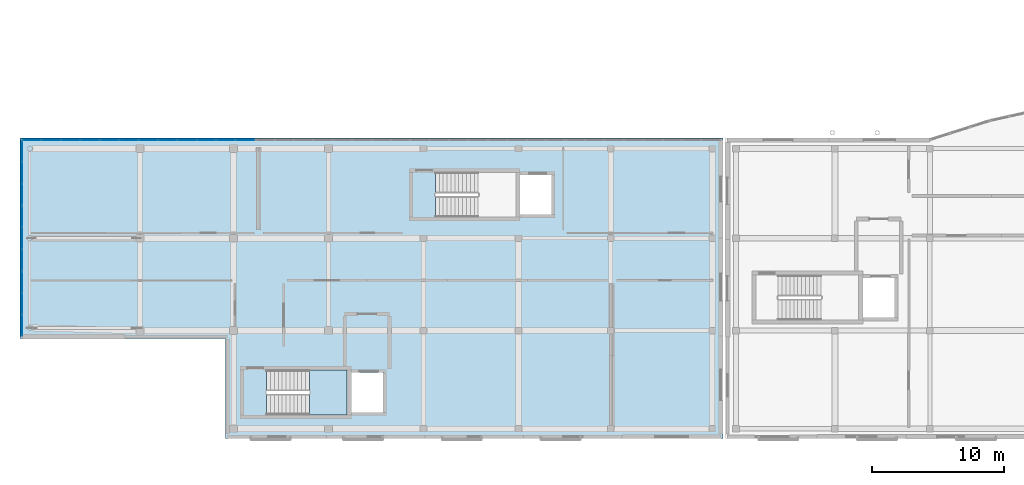
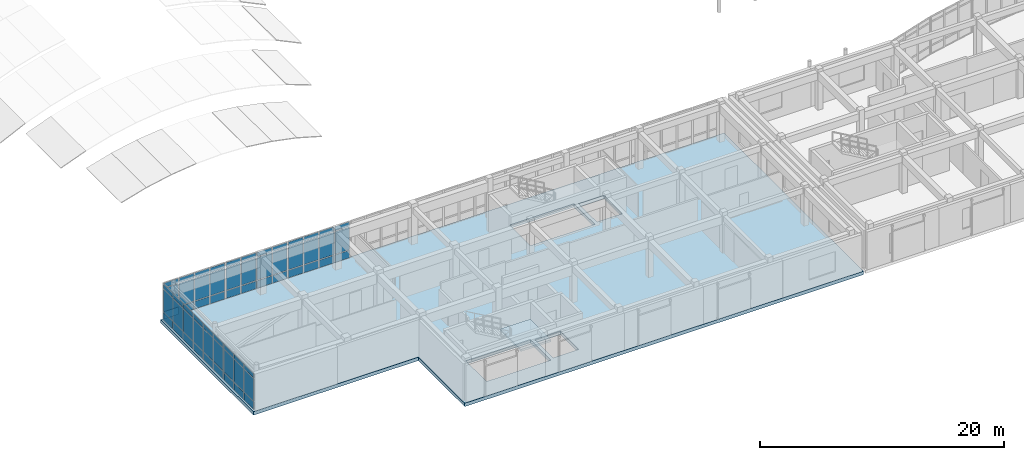
# One storey, part 62 of 91: 63 plates, 2 slabs, 7 elements without a shape of their own.
"""IFC4 building model written with IfcOpenShell, lengths in metres."""

import ifcopenshell
import ifcopenshell.guid

model = None  # the IFC model being written
_history = None  # IfcOwnerHistory: only IFC2X3 demands one
_inside = {}  # id of a spatial element -> (the spatial element, [elements in it])
_under = {}  # id of a project, library or spatial element -> (it, [spatial elements below it])
_declared = {}  # id of a project -> (the project, [libraries it declares])
_typed = {}  # id of a type object -> (the type object, [elements of that type])
_made_of = {}  # id of a material, layer set ... -> (it, [elements and type objects made of it])


def new_model(schema):
    """Start an empty IFC model of exactly this schema.

    Asked for "IFC4X3", IfcOpenShell would pick the latest addendum, in which some entities
    have other attributes; the version numbers below select the first issue.
    IFC2X3 requires an IfcOwnerHistory on every rooted entity: one is made here for all.
    """
    global model, _history
    if schema == "IFC4X3":
        model = ifcopenshell.file(schema_version=(4, 3, 0, 0))
    else:
        model = ifcopenshell.file(schema=schema)
    _inside.clear()
    _under.clear()
    _declared.clear()
    _typed.clear()
    _made_of.clear()
    _history = None
    if model.schema == "IFC2X3":
        org = make("IfcOrganization", Name="unknown")
        user = make(
            "IfcPersonAndOrganization",
            ThePerson=make("IfcPerson", FamilyName="unknown"),
            TheOrganization=org,
        )
        app = make(
            "IfcApplication",
            ApplicationDeveloper=org,
            Version="unknown",
            ApplicationFullName="unknown",
            ApplicationIdentifier="unknown",
        )
        _history = make(
            "IfcOwnerHistory",
            OwningUser=user,
            OwningApplication=app,
            ChangeAction="ADDED",
            CreationDate=0,
        )
    return model


def make(cls, **values):
    """One entity of the class cls with the attributes given. An attribute that is None is left unset."""
    return model.create_entity(
        cls, **{name: value for name, value in values.items() if value is not None}
    )


def rooted(cls, **values):
    """An entity with a GlobalId (a new one), such as an element, a storey or a relation."""
    return make(cls, GlobalId=ifcopenshell.guid.new(), OwnerHistory=_history, **values)


def si_unit(unit_type, name, prefix=None):
    """IfcSIUnit, for example si_unit("LENGTHUNIT", "METRE", prefix="MILLI")."""
    return make("IfcSIUnit", UnitType=unit_type, Prefix=prefix, Name=name)


def assignment(units):
    """IfcUnitAssignment: the units of a project."""
    return None if units is None else make("IfcUnitAssignment", Units=units)


def point(xyz):
    """IfcCartesianPoint."""
    return None if xyz is None else make("IfcCartesianPoint", Coordinates=xyz)


def direction(xyz):
    """IfcDirection."""
    return None if xyz is None else make("IfcDirection", DirectionRatios=xyz)


def frame(location, z_axis=None, x_axis=None):
    """IfcAxis2Placement3D, a coordinate frame: its origin and axes. An axis left out is left unset."""
    return make(
        "IfcAxis2Placement3D",
        Location=point(location),
        Axis=direction(z_axis),
        RefDirection=direction(x_axis),
    )


def frame_2d(location, x_axis=None):
    """IfcAxis2Placement2D, a coordinate frame in the plane: its origin and x axis."""
    return make(
        "IfcAxis2Placement2D", Location=point(location), RefDirection=direction(x_axis)
    )


def origin():
    """The frame at (0, 0, 0) with its axes left unset."""
    return frame((0.0, 0.0, 0.0))


def origin_2d():
    """The frame at (0, 0) in the plane with its x axis left unset."""
    return frame_2d((0.0, 0.0))


def place(relative_to, where):
    """IfcLocalPlacement: puts the frame where relative to a parent placement (None: the world)."""
    return make(
        "IfcLocalPlacement", PlacementRelTo=relative_to, RelativePlacement=where
    )


def context(
    kind, dimensions, precision=None, world=None, true_north=None, identifier=None
):
    """IfcGeometricRepresentationContext, for example the 3D "Model" context."""
    return make(
        "IfcGeometricRepresentationContext",
        ContextIdentifier=identifier,
        ContextType=kind,
        CoordinateSpaceDimension=dimensions,
        Precision=precision,
        WorldCoordinateSystem=world,
        TrueNorth=true_north,
    )


def subcontext(parent, identifier, kind, view, scale=None):
    """IfcGeometricRepresentationSubContext, for example "Body" below "Model"."""
    return make(
        "IfcGeometricRepresentationSubContext",
        ContextIdentifier=identifier,
        ContextType=kind,
        ParentContext=parent,
        TargetScale=scale,
        TargetView=view,
    )


def project(units=None, contexts=None):
    """IfcProject with its units and contexts."""
    return rooted(
        "IfcProject",
        Name="project",
        RepresentationContexts=contexts,
        UnitsInContext=assignment(units),
    )


def spatial(cls, under=None, at=None, **own):
    """A site, building, storey or space (cls), placed at a placement, below another one or the project."""
    s = rooted(cls, ObjectPlacement=at, **own)
    if under is not None:
        _under.setdefault(under.id(), (under, []))[1].append(s)
    return s


def polyline(points):
    """IfcPolyline through the points."""
    return make("IfcPolyline", Points=[point(p) for p in points])


def profile(cls, at=None, kind="AREA", **sizes):
    """A parametric profile (cls). Its sizes go by their IFC names, for example OverallWidth=200.0."""
    return make(cls, ProfileType=kind, Position=at, **sizes)


def rectangle(**sizes):
    """IfcRectangleProfileDef."""
    return profile("IfcRectangleProfileDef", **sizes)


def outline(outer, holes=None, kind="AREA"):
    """IfcArbitraryClosedProfileDef: a profile drawn as a closed curve; with holes, ...WithVoids."""
    if holes is None:
        return make("IfcArbitraryClosedProfileDef", ProfileType=kind, OuterCurve=outer)
    return make(
        "IfcArbitraryProfileDefWithVoids",
        ProfileType=kind,
        OuterCurve=outer,
        InnerCurves=holes,
    )


def extrude(swept, where, along, depth):
    """IfcExtrudedAreaSolid: the profile swept, set in the frame where, extruded along a direction by depth."""
    return make(
        "IfcExtrudedAreaSolid",
        SweptArea=swept,
        Position=where,
        ExtrudedDirection=direction(along),
        Depth=depth,
    )


def shape(context_of_items, identifier, shape_type, items):
    """IfcShapeRepresentation: the items that make up one representation, for example the "Body"."""
    return make(
        "IfcShapeRepresentation",
        ContextOfItems=context_of_items,
        RepresentationIdentifier=identifier,
        RepresentationType=shape_type,
        Items=items,
    )


def material(Name=None, Category=None):
    """IfcMaterial."""
    return make("IfcMaterial", Name=Name, Category=Category)


def layer(
    of_material, thickness, ventilated=None, Name=None, Category=None, Priority=None
):
    """IfcMaterialLayer: one layer of a wall or slab, of a material (None: an air gap)."""
    return make(
        "IfcMaterialLayer",
        Material=of_material,
        LayerThickness=thickness,
        IsVentilated=ventilated,
        Name=Name,
        Category=Category,
        Priority=Priority,
    )


def layer_set(layers, Name=None):
    """IfcMaterialLayerSet."""
    return make("IfcMaterialLayerSet", MaterialLayers=layers, LayerSetName=Name)


def made_of(thing, what):
    """Note that an element or type object is made of a material, layer set ...; save() writes the relation."""
    if what is not None:
        _made_of.setdefault(what.id(), (what, []))[1].append(thing)
    return thing


def type_object(cls, material=None, **own):
    """A type object (cls), such as IfcWallType, which elements share."""
    return made_of(rooted(cls, **own), material)


def element(
    cls,
    number,
    at=None,
    inside=None,
    cuts=None,
    type_object=None,
    material=None,
    context=None,
    identifier="Body",
    shape_type=None,
    held_by="IfcProductDefinitionShape",
    body=None,
    shapes=None,
    **own,
):
    """One element of the class cls, such as IfcWall. Its Tag is "e" and its number.

    at: its placement. inside: the storey or other place that contains it. cuts: it is an
    opening in that element (IfcRelVoidsElement). A single representation is given by context,
    identifier, shape_type and body (its items); several are given by shapes. held_by: the class
    of the entity that holds the representations. save() writes the other relations.
    """
    e = rooted(cls, Tag="e%d" % number, ObjectPlacement=at, **own)
    if body is not None:
        shapes = [shape(context, identifier, shape_type, body)]
    if shapes is not None:
        e.Representation = make(held_by, Representations=shapes)
    if inside is not None:
        _inside.setdefault(inside.id(), (inside, []))[1].append(e)
    if cuts is not None:
        rooted(
            "IfcRelVoidsElement", RelatingBuildingElement=cuts, RelatedOpeningElement=e
        )
    if type_object is not None:
        _typed.setdefault(type_object.id(), (type_object, []))[1].append(e)
    return made_of(e, material)


def aggregate(whole, parts):
    """IfcRelAggregates: a whole, such as a stair, and the parts it consists of."""
    return rooted("IfcRelAggregates", RelatingObject=whole, RelatedObjects=parts)


def save(model, path):
    """Write the relations noted so far, then the file.

    IfcRelAggregates (storeys below a building ...), IfcRelContainedInSpatialStructure (elements
    in a storey), IfcRelDefinesByType, IfcRelAssociatesMaterial and IfcRelDeclares: one each for
    every whole, place, type object, material and project.
    """
    for whole, parts in _under.values():
        aggregate(whole, parts)
    for where, things in _inside.values():
        rooted(
            "IfcRelContainedInSpatialStructure",
            RelatedElements=things,
            RelatingStructure=where,
        )
    for kind, things in _typed.values():
        rooted("IfcRelDefinesByType", RelatedObjects=things, RelatingType=kind)
    for what, things in _made_of.values():
        rooted("IfcRelAssociatesMaterial", RelatedObjects=things, RelatingMaterial=what)
    for by, libraries in _declared.values():
        rooted("IfcRelDeclares", RelatingContext=by, RelatedDefinitions=libraries)
    model.write(path)


model = new_model("IFC4")

# Units and contexts
model_context = context("Model", 3, precision=1e-05, world=origin(), true_north=direction((0.0, 1.0)))
body_context = subcontext(model_context, "Body", "Model", "MODEL_VIEW")
ifc_project = project(units=[si_unit("LENGTHUNIT", "METRE"), si_unit("AREAUNIT", "SQUARE_METRE"), si_unit("VOLUMEUNIT", "CUBIC_METRE"), si_unit("PLANEANGLEUNIT", "RADIAN"), si_unit("MASSUNIT", "GRAM", prefix="KILO")], contexts=[model_context])

# Site, building, storey
site_placement = place(None, origin())
site = spatial("IfcSite", under=ifc_project, at=site_placement, CompositionType="ELEMENT")
building_placement = place(site_placement, origin())
building = spatial("IfcBuilding", under=site, at=building_placement, Name="Valcora Specialist Clinic", CompositionType="ELEMENT")
storey_placement = place(building_placement, frame((0.0, 0.0, 13.60009765625)))
storey = spatial("IfcBuildingStorey", under=building, at=storey_placement, Name="L03", CompositionType="ELEMENT", Elevation=13.60009765625)

# Curtain wall, plates
ifc_material_1 = material(Name="Anodized Bronze Aluminium 6063-T6", Category="aluminium")
ifc_layer_1 = layer(ifc_material_1, 0.175048828125)
ifc_layer_set_1 = layer_set([ifc_layer_1], Name="Anodized Bronze Aluminium 6063-T6")
curtain_wall_type = type_object("IfcCurtainWallType", Name="TY-CW-V5F15", PredefinedType="NOTDEFINED", material=ifc_layer_set_1)
curtain_wall_1_placement = place(storey_placement, origin())
curtain_wall_1 = element("IfcCurtainWall", 1, at=curtain_wall_1_placement, inside=storey, type_object=curtain_wall_type, Name="Curtain wall CW-L03-152", PredefinedType="NOTDEFINED")
ifc_material_2 = material(Name="Low-E Laminated Insulating Glass", Category="glass")
ifc_layer_2 = layer(ifc_material_2, 0.028076171875)
ifc_layer_set_2 = layer_set([ifc_layer_2], Name="Low-E Laminated Insulating Glass")
plate_type_1 = type_object("IfcPlateType", Name="TY-CWP-GLZ28", PredefinedType="CURTAIN_PANEL", material=ifc_layer_set_2)
plate_1_placement = place(storey_placement, frame((0.14990234375, 8.593994140625, 0.882568359375), z_axis=(0.0, 0.0, 1.0), x_axis=(0.0, 1.0, 0.0)))
plate_1 = element("IfcPlate", 2, at=plate_1_placement, type_object=plate_type_1, Name="CW-V5F-15 panel 1.2", PredefinedType="CURTAIN_PANEL", context=body_context, shape_type="SweptSolid", body=[
    extrude(rectangle(XDim=1.55810546875, YDim=0.028076171875, at=origin_2d()), origin(), (0.0, 0.0, 1.0), 2.2548828125),
])
plate_2_placement = place(storey_placement, frame((0.14990234375, 8.593994140625, 3.20263671875), z_axis=(0.0, 0.0, 1.0), x_axis=(0.0, 1.0, 0.0)))
plate_2 = element("IfcPlate", 3, at=plate_2_placement, type_object=plate_type_1, Name="CW-V5F-15 panel 1.3", PredefinedType="CURTAIN_PANEL", context=body_context, shape_type="SweptSolid", body=[
    extrude(rectangle(XDim=1.55810546875, YDim=0.028076171875, at=origin_2d()), origin(), (0.0, 0.0, 1.0), 0.452392578125),
])
plate_3_placement = place(storey_placement, frame((0.14990234375, 10.2333984375, 0.882568359375), z_axis=(0.0, 0.0, 1.0), x_axis=(0.0, 1.0, 0.0)))
plate_3 = element("IfcPlate", 4, at=plate_3_placement, type_object=plate_type_1, Name="CW-V5F-15 panel 2.2", PredefinedType="CURTAIN_PANEL", context=body_context, shape_type="SweptSolid", body=[
    extrude(rectangle(XDim=1.590576171875, YDim=0.028076171875, at=origin_2d()), origin(), (0.0, 0.0, 1.0), 2.2548828125),
])
plate_4_placement = place(storey_placement, frame((0.14990234375, 10.2333984375, 3.20263671875), z_axis=(0.0, 0.0, 1.0), x_axis=(0.0, 1.0, 0.0)))
plate_4 = element("IfcPlate", 5, at=plate_4_placement, type_object=plate_type_1, Name="CW-V5F-15 panel 2.3", PredefinedType="CURTAIN_PANEL", context=body_context, shape_type="SweptSolid", body=[
    extrude(rectangle(XDim=1.590576171875, YDim=0.028076171875, at=origin_2d()), origin(), (0.0, 0.0, 1.0), 0.452392578125),
])
plate_5_placement = place(storey_placement, frame((0.14990234375, 11.87255859375, 0.882568359375), z_axis=(0.0, 0.0, 1.0), x_axis=(0.0, 1.0, 0.0)))
plate_5 = element("IfcPlate", 6, at=plate_5_placement, type_object=plate_type_1, Name="CW-V5F-15 panel 3.2", PredefinedType="CURTAIN_PANEL", context=body_context, shape_type="SweptSolid", body=[
    extrude(rectangle(XDim=1.55810546875, YDim=0.028076171875, at=origin_2d()), origin(), (0.0, 0.0, 1.0), 2.2548828125),
])
plate_6_placement = place(storey_placement, frame((0.14990234375, 11.87255859375, 3.20263671875), z_axis=(0.0, 0.0, 1.0), x_axis=(0.0, 1.0, 0.0)))
plate_6 = element("IfcPlate", 7, at=plate_6_placement, type_object=plate_type_1, Name="CW-V5F-15 panel 3.3", PredefinedType="CURTAIN_PANEL", context=body_context, shape_type="SweptSolid", body=[
    extrude(rectangle(XDim=1.55810546875, YDim=0.028076171875, at=origin_2d()), origin(), (0.0, 0.0, 1.0), 0.452392578125),
])

curtain_wall_2_placement = place(storey_placement, origin())
curtain_wall_2 = element("IfcCurtainWall", 8, at=curtain_wall_2_placement, inside=storey, type_object=curtain_wall_type, Name="Curtain wall CW-L03-154", PredefinedType="NOTDEFINED")
plate_7_placement = place(storey_placement, frame((0.14990234375, 18.52734375, 0.882568359375), z_axis=(0.0, 0.0, 1.0), x_axis=(0.0, 1.0, 0.0)))
plate_7 = element("IfcPlate", 9, at=plate_7_placement, type_object=plate_type_1, Name="CW-V5F-15 panel 1.2", PredefinedType="CURTAIN_PANEL", context=body_context, shape_type="SweptSolid", body=[
    extrude(rectangle(XDim=1.55810546875, YDim=0.028076171875, at=origin_2d()), origin(), (0.0, 0.0, 1.0), 2.2548828125),
])
plate_8_placement = place(storey_placement, frame((0.14990234375, 18.52734375, 3.20263671875), z_axis=(0.0, 0.0, 1.0), x_axis=(0.0, 1.0, 0.0)))
plate_8 = element("IfcPlate", 10, at=plate_8_placement, type_object=plate_type_1, Name="CW-V5F-15 panel 1.3", PredefinedType="CURTAIN_PANEL", context=body_context, shape_type="SweptSolid", body=[
    extrude(rectangle(XDim=1.55810546875, YDim=0.028076171875, at=origin_2d()), origin(), (0.0, 0.0, 1.0), 0.452392578125),
])
plate_9_placement = place(storey_placement, frame((0.14990234375, 20.166748046875, 0.882568359375), z_axis=(0.0, 0.0, 1.0), x_axis=(0.0, 1.0, 0.0)))
plate_9 = element("IfcPlate", 11, at=plate_9_placement, type_object=plate_type_1, Name="CW-V5F-15 panel 2.2", PredefinedType="CURTAIN_PANEL", context=body_context, shape_type="SweptSolid", body=[
    extrude(rectangle(XDim=1.590576171875, YDim=0.028076171875, at=origin_2d()), origin(), (0.0, 0.0, 1.0), 2.2548828125),
])
plate_10_placement = place(storey_placement, frame((0.14990234375, 20.166748046875, 3.20263671875), z_axis=(0.0, 0.0, 1.0), x_axis=(0.0, 1.0, 0.0)))
plate_10 = element("IfcPlate", 12, at=plate_10_placement, type_object=plate_type_1, Name="CW-V5F-15 panel 2.3", PredefinedType="CURTAIN_PANEL", context=body_context, shape_type="SweptSolid", body=[
    extrude(rectangle(XDim=1.590576171875, YDim=0.028076171875, at=origin_2d()), origin(), (0.0, 0.0, 1.0), 0.452392578125),
])
plate_11_placement = place(storey_placement, frame((0.14990234375, 21.805908203125, 0.882568359375), z_axis=(0.0, 0.0, 1.0), x_axis=(0.0, 1.0, 0.0)))
plate_11 = element("IfcPlate", 13, at=plate_11_placement, type_object=plate_type_1, Name="CW-V5F-15 panel 3.2", PredefinedType="CURTAIN_PANEL", context=body_context, shape_type="SweptSolid", body=[
    extrude(rectangle(XDim=1.55810546875, YDim=0.028076171875, at=origin_2d()), origin(), (0.0, 0.0, 1.0), 2.2548828125),
])
plate_12_placement = place(storey_placement, frame((0.14990234375, 21.805908203125, 3.20263671875), z_axis=(0.0, 0.0, 1.0), x_axis=(0.0, 1.0, 0.0)))
plate_12 = element("IfcPlate", 14, at=plate_12_placement, type_object=plate_type_1, Name="CW-V5F-15 panel 3.3", PredefinedType="CURTAIN_PANEL", context=body_context, shape_type="SweptSolid", body=[
    extrude(rectangle(XDim=1.55810546875, YDim=0.028076171875, at=origin_2d()), origin(), (0.0, 0.0, 1.0), 0.452392578125),
])

curtain_wall_3_placement = place(storey_placement, origin())
curtain_wall_3 = element("IfcCurtainWall", 15, at=curtain_wall_3_placement, inside=storey, type_object=curtain_wall_type, Name="Curtain wall CW-L03-156", PredefinedType="NOTDEFINED")
plate_13_placement = place(storey_placement, frame((6.791259765625, 22.64990234375, 0.882568359375), z_axis=(0.0, 0.0, 1.0), x_axis=(1.0, 0.0, 0.0)))
plate_13 = element("IfcPlate", 16, at=plate_13_placement, type_object=plate_type_1, Name="CW-V5F-15 panel 1.2", PredefinedType="CURTAIN_PANEL", context=body_context, shape_type="SweptSolid", body=[
    extrude(rectangle(XDim=1.374755859375, YDim=0.028076171875, at=origin_2d()), origin(), (0.0, 0.0, 1.0), 2.2548828125),
])
plate_14_placement = place(storey_placement, frame((6.791259765625, 22.64990234375, 3.20263671875), z_axis=(0.0, 0.0, 1.0), x_axis=(1.0, 0.0, 0.0)))
plate_14 = element("IfcPlate", 17, at=plate_14_placement, type_object=plate_type_1, Name="CW-V5F-15 panel 1.3", PredefinedType="CURTAIN_PANEL", context=body_context, shape_type="SweptSolid", body=[
    extrude(rectangle(XDim=1.374755859375, YDim=0.028076171875, at=origin_2d()), origin(), (0.0, 0.0, 1.0), 0.452392578125),
])
plate_15_placement = place(storey_placement, frame((8.247314453125, 22.64990234375, 0.882568359375), z_axis=(0.0, 0.0, 1.0), x_axis=(1.0, 0.0, 0.0)))
plate_15 = element("IfcPlate", 18, at=plate_15_placement, type_object=plate_type_1, Name="CW-V5F-15 panel 2.2", PredefinedType="CURTAIN_PANEL", context=body_context, shape_type="SweptSolid", body=[
    extrude(rectangle(XDim=1.4072265625, YDim=0.028076171875, at=origin_2d()), origin(), (0.0, 0.0, 1.0), 2.2548828125),
])
plate_16_placement = place(storey_placement, frame((8.247314453125, 22.64990234375, 3.20263671875), z_axis=(0.0, 0.0, 1.0), x_axis=(1.0, 0.0, 0.0)))
plate_16 = element("IfcPlate", 19, at=plate_16_placement, type_object=plate_type_1, Name="CW-V5F-15 panel 2.3", PredefinedType="CURTAIN_PANEL", context=body_context, shape_type="SweptSolid", body=[
    extrude(rectangle(XDim=1.4072265625, YDim=0.028076171875, at=origin_2d()), origin(), (0.0, 0.0, 1.0), 0.452392578125),
])
plate_17_placement = place(storey_placement, frame((9.719482421875, 22.64990234375, 0.882568359375), z_axis=(0.0, 0.0, 1.0), x_axis=(1.0, 0.0, 0.0)))
plate_17 = element("IfcPlate", 20, at=plate_17_placement, type_object=plate_type_1, Name="CW-V5F-15 panel 3.2", PredefinedType="CURTAIN_PANEL", context=body_context, shape_type="SweptSolid", body=[
    extrude(rectangle(XDim=1.4072265625, YDim=0.028076171875, at=origin_2d()), origin(), (0.0, 0.0, 1.0), 2.2548828125),
])
plate_18_placement = place(storey_placement, frame((9.719482421875, 22.64990234375, 3.20263671875), z_axis=(0.0, 0.0, 1.0), x_axis=(1.0, 0.0, 0.0)))
plate_18 = element("IfcPlate", 21, at=plate_18_placement, type_object=plate_type_1, Name="CW-V5F-15 panel 3.3", PredefinedType="CURTAIN_PANEL", context=body_context, shape_type="SweptSolid", body=[
    extrude(rectangle(XDim=1.4072265625, YDim=0.028076171875, at=origin_2d()), origin(), (0.0, 0.0, 1.0), 0.452392578125),
])
plate_19_placement = place(storey_placement, frame((11.175537109375, 22.64990234375, 0.882568359375), z_axis=(0.0, 0.0, 1.0), x_axis=(1.0, 0.0, 0.0)))
plate_19 = element("IfcPlate", 22, at=plate_19_placement, type_object=plate_type_1, Name="CW-V5F-15 panel 4.2", PredefinedType="CURTAIN_PANEL", context=body_context, shape_type="SweptSolid", body=[
    extrude(rectangle(XDim=1.374755859375, YDim=0.028076171875, at=origin_2d()), origin(), (0.0, 0.0, 1.0), 2.2548828125),
])
plate_20_placement = place(storey_placement, frame((11.175537109375, 22.64990234375, 3.20263671875), z_axis=(0.0, 0.0, 1.0), x_axis=(1.0, 0.0, 0.0)))
plate_20 = element("IfcPlate", 23, at=plate_20_placement, type_object=plate_type_1, Name="CW-V5F-15 panel 4.3", PredefinedType="CURTAIN_PANEL", context=body_context, shape_type="SweptSolid", body=[
    extrude(rectangle(XDim=1.374755859375, YDim=0.028076171875, at=origin_2d()), origin(), (0.0, 0.0, 1.0), 0.452392578125),
])

curtain_wall_4_placement = place(storey_placement, origin())
curtain_wall_4 = element("IfcCurtainWall", 24, at=curtain_wall_4_placement, inside=storey, type_object=curtain_wall_type, Name="Curtain wall CW-L03-153", PredefinedType="NOTDEFINED")
ifc_layer_3 = layer(ifc_material_2, 0.033935546875)
ifc_layer_set_3 = layer_set([ifc_layer_3], Name="Low-E Laminated Insulating Glass")
plate_type_2 = type_object("IfcPlateType", Name="TY-CWP-GLZ34", PredefinedType="CURTAIN_PANEL", material=ifc_layer_set_3)
plate_21_placement = place(storey_placement, frame((0.14990234375, 13.560791015625, 0.882568359375), z_axis=(0.0, 0.0, 1.0), x_axis=(0.0, 1.0, 0.0)))
plate_21 = element("IfcPlate", 25, at=plate_21_placement, type_object=plate_type_2, Name="CW-V5F-15 panel 1.2", PredefinedType="CURTAIN_PANEL", context=body_context, shape_type="SweptSolid", body=[
    extrude(rectangle(XDim=1.55810546875, YDim=0.033935546875, at=origin_2d()), origin(), (0.0, 0.0, 1.0), 2.2548828125),
])
plate_22_placement = place(storey_placement, frame((0.14990234375, 13.560791015625, 3.20263671875), z_axis=(0.0, 0.0, 1.0), x_axis=(0.0, 1.0, 0.0)))
plate_22 = element("IfcPlate", 26, at=plate_22_placement, type_object=plate_type_2, Name="CW-V5F-15 panel 1.3", PredefinedType="CURTAIN_PANEL", context=body_context, shape_type="SweptSolid", body=[
    extrude(rectangle(XDim=1.55810546875, YDim=0.033935546875, at=origin_2d()), origin(), (0.0, 0.0, 1.0), 0.452392578125),
])
plate_23_placement = place(storey_placement, frame((0.14990234375, 15.199951171875, 0.882568359375), z_axis=(0.0, 0.0, 1.0), x_axis=(0.0, 1.0, 0.0)))
plate_23 = element("IfcPlate", 27, at=plate_23_placement, type_object=plate_type_2, Name="CW-V5F-15 panel 2.2", PredefinedType="CURTAIN_PANEL", context=body_context, shape_type="SweptSolid", body=[
    extrude(rectangle(XDim=1.590576171875, YDim=0.033935546875, at=origin_2d()), origin(), (0.0, 0.0, 1.0), 2.2548828125),
])
plate_24_placement = place(storey_placement, frame((0.14990234375, 15.199951171875, 3.20263671875), z_axis=(0.0, 0.0, 1.0), x_axis=(0.0, 1.0, 0.0)))
plate_24 = element("IfcPlate", 28, at=plate_24_placement, type_object=plate_type_2, Name="CW-V5F-15 panel 2.3", PredefinedType="CURTAIN_PANEL", context=body_context, shape_type="SweptSolid", body=[
    extrude(rectangle(XDim=1.590576171875, YDim=0.033935546875, at=origin_2d()), origin(), (0.0, 0.0, 1.0), 0.452392578125),
])
plate_25_placement = place(storey_placement, frame((0.14990234375, 16.83935546875, 0.882568359375), z_axis=(0.0, 0.0, 1.0), x_axis=(0.0, 1.0, 0.0)))
plate_25 = element("IfcPlate", 29, at=plate_25_placement, type_object=plate_type_2, Name="CW-V5F-15 panel 3.2", PredefinedType="CURTAIN_PANEL", context=body_context, shape_type="SweptSolid", body=[
    extrude(rectangle(XDim=1.55810546875, YDim=0.033935546875, at=origin_2d()), origin(), (0.0, 0.0, 1.0), 2.2548828125),
])
plate_26_placement = place(storey_placement, frame((0.14990234375, 16.83935546875, 3.20263671875), z_axis=(0.0, 0.0, 1.0), x_axis=(0.0, 1.0, 0.0)))
plate_26 = element("IfcPlate", 30, at=plate_26_placement, type_object=plate_type_2, Name="CW-V5F-15 panel 3.3", PredefinedType="CURTAIN_PANEL", context=body_context, shape_type="SweptSolid", body=[
    extrude(rectangle(XDim=1.55810546875, YDim=0.033935546875, at=origin_2d()), origin(), (0.0, 0.0, 1.0), 0.452392578125),
])

curtain_wall_5_placement = place(storey_placement, origin())
curtain_wall_5 = element("IfcCurtainWall", 31, at=curtain_wall_5_placement, inside=storey, type_object=curtain_wall_type, Name="Curtain wall CW-L03-155", PredefinedType="NOTDEFINED")
plate_27_placement = place(storey_placement, frame((0.90234375, 22.64990234375, 0.882568359375), z_axis=(0.0, 0.0, 1.0), x_axis=(1.0, 0.0, 0.0)))
plate_27 = element("IfcPlate", 32, at=plate_27_placement, type_object=plate_type_2, Name="CW-V5F-15 panel 1.2", PredefinedType="CURTAIN_PANEL", context=body_context, shape_type="SweptSolid", body=[
    extrude(rectangle(XDim=1.374755859375, YDim=0.033935546875, at=origin_2d()), origin(), (0.0, 0.0, 1.0), 2.2548828125),
])
plate_28_placement = place(storey_placement, frame((0.90234375, 22.64990234375, 3.20263671875), z_axis=(0.0, 0.0, 1.0), x_axis=(1.0, 0.0, 0.0)))
plate_28 = element("IfcPlate", 33, at=plate_28_placement, type_object=plate_type_2, Name="CW-V5F-15 panel 1.3", PredefinedType="CURTAIN_PANEL", context=body_context, shape_type="SweptSolid", body=[
    extrude(rectangle(XDim=1.374755859375, YDim=0.033935546875, at=origin_2d()), origin(), (0.0, 0.0, 1.0), 0.452392578125),
])
plate_29_placement = place(storey_placement, frame((2.3583984375, 22.64990234375, 0.882568359375), z_axis=(0.0, 0.0, 1.0), x_axis=(1.0, 0.0, 0.0)))
plate_29 = element("IfcPlate", 34, at=plate_29_placement, type_object=plate_type_2, Name="CW-V5F-15 panel 2.2", PredefinedType="CURTAIN_PANEL", context=body_context, shape_type="SweptSolid", body=[
    extrude(rectangle(XDim=1.4072265625, YDim=0.033935546875, at=origin_2d()), origin(), (0.0, 0.0, 1.0), 2.2548828125),
])
plate_30_placement = place(storey_placement, frame((2.3583984375, 22.64990234375, 3.20263671875), z_axis=(0.0, 0.0, 1.0), x_axis=(1.0, 0.0, 0.0)))
plate_30 = element("IfcPlate", 35, at=plate_30_placement, type_object=plate_type_2, Name="CW-V5F-15 panel 2.3", PredefinedType="CURTAIN_PANEL", context=body_context, shape_type="SweptSolid", body=[
    extrude(rectangle(XDim=1.4072265625, YDim=0.033935546875, at=origin_2d()), origin(), (0.0, 0.0, 1.0), 0.452392578125),
])
plate_31_placement = place(storey_placement, frame((3.83056640625, 22.64990234375, 0.882568359375), z_axis=(0.0, 0.0, 1.0), x_axis=(1.0, 0.0, 0.0)))
plate_31 = element("IfcPlate", 36, at=plate_31_placement, type_object=plate_type_2, Name="CW-V5F-15 panel 3.2", PredefinedType="CURTAIN_PANEL", context=body_context, shape_type="SweptSolid", body=[
    extrude(rectangle(XDim=1.4072265625, YDim=0.033935546875, at=origin_2d()), origin(), (0.0, 0.0, 1.0), 2.2548828125),
])
plate_32_placement = place(storey_placement, frame((3.83056640625, 22.64990234375, 3.20263671875), z_axis=(0.0, 0.0, 1.0), x_axis=(1.0, 0.0, 0.0)))
plate_32 = element("IfcPlate", 37, at=plate_32_placement, type_object=plate_type_2, Name="CW-V5F-15 panel 3.3", PredefinedType="CURTAIN_PANEL", context=body_context, shape_type="SweptSolid", body=[
    extrude(rectangle(XDim=1.4072265625, YDim=0.033935546875, at=origin_2d()), origin(), (0.0, 0.0, 1.0), 0.452392578125),
])
plate_33_placement = place(storey_placement, frame((5.28662109375, 22.64990234375, 0.882568359375), z_axis=(0.0, 0.0, 1.0), x_axis=(1.0, 0.0, 0.0)))
plate_33 = element("IfcPlate", 38, at=plate_33_placement, type_object=plate_type_2, Name="CW-V5F-15 panel 4.2", PredefinedType="CURTAIN_PANEL", context=body_context, shape_type="SweptSolid", body=[
    extrude(rectangle(XDim=1.374755859375, YDim=0.033935546875, at=origin_2d()), origin(), (0.0, 0.0, 1.0), 2.2548828125),
])
plate_34_placement = place(storey_placement, frame((5.28662109375, 22.64990234375, 3.20263671875), z_axis=(0.0, 0.0, 1.0), x_axis=(1.0, 0.0, 0.0)))
plate_34 = element("IfcPlate", 39, at=plate_34_placement, type_object=plate_type_2, Name="CW-V5F-15 panel 4.3", PredefinedType="CURTAIN_PANEL", context=body_context, shape_type="SweptSolid", body=[
    extrude(rectangle(XDim=1.374755859375, YDim=0.033935546875, at=origin_2d()), origin(), (0.0, 0.0, 1.0), 0.452392578125),
])

curtain_wall_6_placement = place(storey_placement, origin())
curtain_wall_6 = element("IfcCurtainWall", 40, at=curtain_wall_6_placement, inside=storey, type_object=curtain_wall_type, Name="Curtain wall CW-L03-157", PredefinedType="NOTDEFINED")
plate_35_placement = place(storey_placement, frame((12.68017578125, 22.64990234375, 0.882568359375), z_axis=(0.0, 0.0, 1.0), x_axis=(1.0, 0.0, 0.0)))
plate_35 = element("IfcPlate", 41, at=plate_35_placement, type_object=plate_type_2, Name="CW-V5F-15 panel 1.2", PredefinedType="CURTAIN_PANEL", context=body_context, shape_type="SweptSolid", body=[
    extrude(rectangle(XDim=1.374755859375, YDim=0.033935546875, at=origin_2d()), origin(), (0.0, 0.0, 1.0), 2.2548828125),
])
plate_36_placement = place(storey_placement, frame((12.68017578125, 22.64990234375, 3.20263671875), z_axis=(0.0, 0.0, 1.0), x_axis=(1.0, 0.0, 0.0)))
plate_36 = element("IfcPlate", 42, at=plate_36_placement, type_object=plate_type_2, Name="CW-V5F-15 panel 1.3", PredefinedType="CURTAIN_PANEL", context=body_context, shape_type="SweptSolid", body=[
    extrude(rectangle(XDim=1.374755859375, YDim=0.033935546875, at=origin_2d()), origin(), (0.0, 0.0, 1.0), 0.452392578125),
])
plate_37_placement = place(storey_placement, frame((14.13623046875, 22.64990234375, 0.882568359375), z_axis=(0.0, 0.0, 1.0), x_axis=(1.0, 0.0, 0.0)))
plate_37 = element("IfcPlate", 43, at=plate_37_placement, type_object=plate_type_2, Name="CW-V5F-15 panel 2.2", PredefinedType="CURTAIN_PANEL", context=body_context, shape_type="SweptSolid", body=[
    extrude(rectangle(XDim=1.4072265625, YDim=0.033935546875, at=origin_2d()), origin(), (0.0, 0.0, 1.0), 2.2548828125),
])
plate_38_placement = place(storey_placement, frame((14.13623046875, 22.64990234375, 3.20263671875), z_axis=(0.0, 0.0, 1.0), x_axis=(1.0, 0.0, 0.0)))
plate_38 = element("IfcPlate", 44, at=plate_38_placement, type_object=plate_type_2, Name="CW-V5F-15 panel 2.3", PredefinedType="CURTAIN_PANEL", context=body_context, shape_type="SweptSolid", body=[
    extrude(rectangle(XDim=1.4072265625, YDim=0.033935546875, at=origin_2d()), origin(), (0.0, 0.0, 1.0), 0.452392578125),
])
plate_39_placement = place(storey_placement, frame((15.6083984375, 22.64990234375, 0.882568359375), z_axis=(0.0, 0.0, 1.0), x_axis=(1.0, 0.0, 0.0)))
plate_39 = element("IfcPlate", 45, at=plate_39_placement, type_object=plate_type_2, Name="CW-V5F-15 panel 3.2", PredefinedType="CURTAIN_PANEL", context=body_context, shape_type="SweptSolid", body=[
    extrude(rectangle(XDim=1.4072265625, YDim=0.033935546875, at=origin_2d()), origin(), (0.0, 0.0, 1.0), 2.2548828125),
])
plate_40_placement = place(storey_placement, frame((15.6083984375, 22.64990234375, 3.20263671875), z_axis=(0.0, 0.0, 1.0), x_axis=(1.0, 0.0, 0.0)))
plate_40 = element("IfcPlate", 46, at=plate_40_placement, type_object=plate_type_2, Name="CW-V5F-15 panel 3.3", PredefinedType="CURTAIN_PANEL", context=body_context, shape_type="SweptSolid", body=[
    extrude(rectangle(XDim=1.4072265625, YDim=0.033935546875, at=origin_2d()), origin(), (0.0, 0.0, 1.0), 0.452392578125),
])
plate_41_placement = place(storey_placement, frame((17.064453125, 22.64990234375, 0.882568359375), z_axis=(0.0, 0.0, 1.0), x_axis=(1.0, 0.0, 0.0)))
plate_41 = element("IfcPlate", 47, at=plate_41_placement, type_object=plate_type_2, Name="CW-V5F-15 panel 4.2", PredefinedType="CURTAIN_PANEL", context=body_context, shape_type="SweptSolid", body=[
    extrude(rectangle(XDim=1.374755859375, YDim=0.033935546875, at=origin_2d()), origin(), (0.0, 0.0, 1.0), 2.2548828125),
])
plate_42_placement = place(storey_placement, frame((17.064453125, 22.64990234375, 3.20263671875), z_axis=(0.0, 0.0, 1.0), x_axis=(1.0, 0.0, 0.0)))
plate_42 = element("IfcPlate", 48, at=plate_42_placement, type_object=plate_type_2, Name="CW-V5F-15 panel 4.3", PredefinedType="CURTAIN_PANEL", context=body_context, shape_type="SweptSolid", body=[
    extrude(rectangle(XDim=1.374755859375, YDim=0.033935546875, at=origin_2d()), origin(), (0.0, 0.0, 1.0), 0.452392578125),
])

# Plate
ifc_material_3 = material(Name="Insulated Spandrel Panel")
ifc_layer_4 = layer(ifc_material_3, 0.044921875)
ifc_layer_set_4 = layer_set([ifc_layer_4], Name="Insulated Spandrel Panel")
plate_type_3 = type_object("IfcPlateType", Name="TY-CWP-SPN45", PredefinedType="SHEET", material=ifc_layer_set_4)
plate_43_placement = place(storey_placement, frame((0.14990234375, 8.593994140625, 0.06494140625), z_axis=(0.0, 0.0, 1.0), x_axis=(0.0, 1.0, 0.0)))
plate_43 = element("IfcPlate", 49, at=plate_43_placement, type_object=plate_type_3, Name="CW-V5F-15 panel 1.1", PredefinedType="SHEET", context=body_context, shape_type="SweptSolid", body=[
    extrude(rectangle(XDim=1.55810546875, YDim=0.044921875, at=origin_2d()), origin(), (0.0, 0.0, 1.0), 0.75244140625),
])

plate_44_placement = place(storey_placement, frame((0.14990234375, 10.2333984375, 0.06494140625), z_axis=(0.0, 0.0, 1.0), x_axis=(0.0, 1.0, 0.0)))
plate_44 = element("IfcPlate", 50, at=plate_44_placement, type_object=plate_type_3, Name="CW-V5F-15 panel 2.1", PredefinedType="SHEET", context=body_context, shape_type="SweptSolid", body=[
    extrude(rectangle(XDim=1.590576171875, YDim=0.044921875, at=origin_2d()), origin(), (0.0, 0.0, 1.0), 0.75244140625),
])

plate_45_placement = place(storey_placement, frame((0.14990234375, 11.87255859375, 0.06494140625), z_axis=(0.0, 0.0, 1.0), x_axis=(0.0, 1.0, 0.0)))
plate_45 = element("IfcPlate", 51, at=plate_45_placement, type_object=plate_type_3, Name="CW-V5F-15 panel 3.1", PredefinedType="SHEET", context=body_context, shape_type="SweptSolid", body=[
    extrude(rectangle(XDim=1.55810546875, YDim=0.044921875, at=origin_2d()), origin(), (0.0, 0.0, 1.0), 0.75244140625),
])

aggregate(curtain_wall_1, [plate_43, plate_1, plate_2, plate_44, plate_3, plate_4, plate_45, plate_5, plate_6])

plate_46_placement = place(storey_placement, frame((0.14990234375, 13.560791015625, 0.06494140625), z_axis=(0.0, 0.0, 1.0), x_axis=(0.0, 1.0, 0.0)))
plate_46 = element("IfcPlate", 52, at=plate_46_placement, type_object=plate_type_3, Name="CW-V5F-15 panel 1.1", PredefinedType="SHEET", context=body_context, shape_type="SweptSolid", body=[
    extrude(rectangle(XDim=1.55810546875, YDim=0.044921875, at=origin_2d()), origin(), (0.0, 0.0, 1.0), 0.75244140625),
])

plate_47_placement = place(storey_placement, frame((0.14990234375, 15.199951171875, 0.06494140625), z_axis=(0.0, 0.0, 1.0), x_axis=(0.0, 1.0, 0.0)))
plate_47 = element("IfcPlate", 53, at=plate_47_placement, type_object=plate_type_3, Name="CW-V5F-15 panel 2.1", PredefinedType="SHEET", context=body_context, shape_type="SweptSolid", body=[
    extrude(rectangle(XDim=1.590576171875, YDim=0.044921875, at=origin_2d()), origin(), (0.0, 0.0, 1.0), 0.75244140625),
])

plate_48_placement = place(storey_placement, frame((0.14990234375, 16.83935546875, 0.06494140625), z_axis=(0.0, 0.0, 1.0), x_axis=(0.0, 1.0, 0.0)))
plate_48 = element("IfcPlate", 54, at=plate_48_placement, type_object=plate_type_3, Name="CW-V5F-15 panel 3.1", PredefinedType="SHEET", context=body_context, shape_type="SweptSolid", body=[
    extrude(rectangle(XDim=1.55810546875, YDim=0.044921875, at=origin_2d()), origin(), (0.0, 0.0, 1.0), 0.75244140625),
])

aggregate(curtain_wall_4, [plate_46, plate_21, plate_22, plate_47, plate_23, plate_24, plate_48, plate_25, plate_26])

plate_49_placement = place(storey_placement, frame((0.14990234375, 18.52734375, 0.06494140625), z_axis=(0.0, 0.0, 1.0), x_axis=(0.0, 1.0, 0.0)))
plate_49 = element("IfcPlate", 55, at=plate_49_placement, type_object=plate_type_3, Name="CW-V5F-15 panel 1.1", PredefinedType="SHEET", context=body_context, shape_type="SweptSolid", body=[
    extrude(rectangle(XDim=1.55810546875, YDim=0.044921875, at=origin_2d()), origin(), (0.0, 0.0, 1.0), 0.75244140625),
])

plate_50_placement = place(storey_placement, frame((0.14990234375, 20.166748046875, 0.06494140625), z_axis=(0.0, 0.0, 1.0), x_axis=(0.0, 1.0, 0.0)))
plate_50 = element("IfcPlate", 56, at=plate_50_placement, type_object=plate_type_3, Name="CW-V5F-15 panel 2.1", PredefinedType="SHEET", context=body_context, shape_type="SweptSolid", body=[
    extrude(rectangle(XDim=1.590576171875, YDim=0.044921875, at=origin_2d()), origin(), (0.0, 0.0, 1.0), 0.75244140625),
])

plate_51_placement = place(storey_placement, frame((0.14990234375, 21.805908203125, 0.06494140625), z_axis=(0.0, 0.0, 1.0), x_axis=(0.0, 1.0, 0.0)))
plate_51 = element("IfcPlate", 57, at=plate_51_placement, type_object=plate_type_3, Name="CW-V5F-15 panel 3.1", PredefinedType="SHEET", context=body_context, shape_type="SweptSolid", body=[
    extrude(rectangle(XDim=1.55810546875, YDim=0.044921875, at=origin_2d()), origin(), (0.0, 0.0, 1.0), 0.75244140625),
])

aggregate(curtain_wall_2, [plate_49, plate_7, plate_8, plate_50, plate_9, plate_10, plate_51, plate_11, plate_12])

plate_52_placement = place(storey_placement, frame((0.90234375, 22.64990234375, 0.06494140625), z_axis=(0.0, 0.0, 1.0), x_axis=(1.0, 0.0, 0.0)))
plate_52 = element("IfcPlate", 58, at=plate_52_placement, type_object=plate_type_3, Name="CW-V5F-15 panel 1.1", PredefinedType="SHEET", context=body_context, shape_type="SweptSolid", body=[
    extrude(rectangle(XDim=1.374755859375, YDim=0.044921875, at=origin_2d()), origin(), (0.0, 0.0, 1.0), 0.75244140625),
])

plate_53_placement = place(storey_placement, frame((2.3583984375, 22.64990234375, 0.06494140625), z_axis=(0.0, 0.0, 1.0), x_axis=(1.0, 0.0, 0.0)))
plate_53 = element("IfcPlate", 59, at=plate_53_placement, type_object=plate_type_3, Name="CW-V5F-15 panel 2.1", PredefinedType="SHEET", context=body_context, shape_type="SweptSolid", body=[
    extrude(rectangle(XDim=1.4072265625, YDim=0.044921875, at=origin_2d()), origin(), (0.0, 0.0, 1.0), 0.75244140625),
])

plate_54_placement = place(storey_placement, frame((3.83056640625, 22.64990234375, 0.06494140625), z_axis=(0.0, 0.0, 1.0), x_axis=(1.0, 0.0, 0.0)))
plate_54 = element("IfcPlate", 60, at=plate_54_placement, type_object=plate_type_3, Name="CW-V5F-15 panel 3.1", PredefinedType="SHEET", context=body_context, shape_type="SweptSolid", body=[
    extrude(rectangle(XDim=1.4072265625, YDim=0.044921875, at=origin_2d()), origin(), (0.0, 0.0, 1.0), 0.75244140625),
])

plate_55_placement = place(storey_placement, frame((5.28662109375, 22.64990234375, 0.06494140625), z_axis=(0.0, 0.0, 1.0), x_axis=(1.0, 0.0, 0.0)))
plate_55 = element("IfcPlate", 61, at=plate_55_placement, type_object=plate_type_3, Name="CW-V5F-15 panel 4.1", PredefinedType="SHEET", context=body_context, shape_type="SweptSolid", body=[
    extrude(rectangle(XDim=1.374755859375, YDim=0.044921875, at=origin_2d()), origin(), (0.0, 0.0, 1.0), 0.75244140625),
])

aggregate(curtain_wall_5, [plate_52, plate_27, plate_28, plate_53, plate_29, plate_30, plate_54, plate_31, plate_32, plate_55, plate_33, plate_34])

plate_56_placement = place(storey_placement, frame((6.791259765625, 22.64990234375, 0.06494140625), z_axis=(0.0, 0.0, 1.0), x_axis=(1.0, 0.0, 0.0)))
plate_56 = element("IfcPlate", 62, at=plate_56_placement, type_object=plate_type_3, Name="CW-V5F-15 panel 1.1", PredefinedType="SHEET", context=body_context, shape_type="SweptSolid", body=[
    extrude(rectangle(XDim=1.374755859375, YDim=0.044921875, at=origin_2d()), origin(), (0.0, 0.0, 1.0), 0.75244140625),
])

plate_57_placement = place(storey_placement, frame((8.247314453125, 22.64990234375, 0.06494140625), z_axis=(0.0, 0.0, 1.0), x_axis=(1.0, 0.0, 0.0)))
plate_57 = element("IfcPlate", 63, at=plate_57_placement, type_object=plate_type_3, Name="CW-V5F-15 panel 2.1", PredefinedType="SHEET", context=body_context, shape_type="SweptSolid", body=[
    extrude(rectangle(XDim=1.4072265625, YDim=0.044921875, at=origin_2d()), origin(), (0.0, 0.0, 1.0), 0.75244140625),
])

plate_58_placement = place(storey_placement, frame((9.719482421875, 22.64990234375, 0.06494140625), z_axis=(0.0, 0.0, 1.0), x_axis=(1.0, 0.0, 0.0)))
plate_58 = element("IfcPlate", 64, at=plate_58_placement, type_object=plate_type_3, Name="CW-V5F-15 panel 3.1", PredefinedType="SHEET", context=body_context, shape_type="SweptSolid", body=[
    extrude(rectangle(XDim=1.4072265625, YDim=0.044921875, at=origin_2d()), origin(), (0.0, 0.0, 1.0), 0.75244140625),
])

plate_59_placement = place(storey_placement, frame((11.175537109375, 22.64990234375, 0.06494140625), z_axis=(0.0, 0.0, 1.0), x_axis=(1.0, 0.0, 0.0)))
plate_59 = element("IfcPlate", 65, at=plate_59_placement, type_object=plate_type_3, Name="CW-V5F-15 panel 4.1", PredefinedType="SHEET", context=body_context, shape_type="SweptSolid", body=[
    extrude(rectangle(XDim=1.374755859375, YDim=0.044921875, at=origin_2d()), origin(), (0.0, 0.0, 1.0), 0.75244140625),
])

aggregate(curtain_wall_3, [plate_56, plate_13, plate_14, plate_57, plate_15, plate_16, plate_58, plate_17, plate_18, plate_59, plate_19, plate_20])

plate_60_placement = place(storey_placement, frame((12.68017578125, 22.64990234375, 0.06494140625), z_axis=(0.0, 0.0, 1.0), x_axis=(1.0, 0.0, 0.0)))
plate_60 = element("IfcPlate", 66, at=plate_60_placement, type_object=plate_type_3, Name="CW-V5F-15 panel 1.1", PredefinedType="SHEET", context=body_context, shape_type="SweptSolid", body=[
    extrude(rectangle(XDim=1.374755859375, YDim=0.044921875, at=origin_2d()), origin(), (0.0, 0.0, 1.0), 0.75244140625),
])

plate_61_placement = place(storey_placement, frame((14.13623046875, 22.64990234375, 0.06494140625), z_axis=(0.0, 0.0, 1.0), x_axis=(1.0, 0.0, 0.0)))
plate_61 = element("IfcPlate", 67, at=plate_61_placement, type_object=plate_type_3, Name="CW-V5F-15 panel 2.1", PredefinedType="SHEET", context=body_context, shape_type="SweptSolid", body=[
    extrude(rectangle(XDim=1.4072265625, YDim=0.044921875, at=origin_2d()), origin(), (0.0, 0.0, 1.0), 0.75244140625),
])

plate_62_placement = place(storey_placement, frame((15.6083984375, 22.64990234375, 0.06494140625), z_axis=(0.0, 0.0, 1.0), x_axis=(1.0, 0.0, 0.0)))
plate_62 = element("IfcPlate", 68, at=plate_62_placement, type_object=plate_type_3, Name="CW-V5F-15 panel 3.1", PredefinedType="SHEET", context=body_context, shape_type="SweptSolid", body=[
    extrude(rectangle(XDim=1.4072265625, YDim=0.044921875, at=origin_2d()), origin(), (0.0, 0.0, 1.0), 0.75244140625),
])

plate_63_placement = place(storey_placement, frame((17.064453125, 22.64990234375, 0.06494140625), z_axis=(0.0, 0.0, 1.0), x_axis=(1.0, 0.0, 0.0)))
plate_63 = element("IfcPlate", 69, at=plate_63_placement, type_object=plate_type_3, Name="CW-V5F-15 panel 4.1", PredefinedType="SHEET", context=body_context, shape_type="SweptSolid", body=[
    extrude(rectangle(XDim=1.374755859375, YDim=0.044921875, at=origin_2d()), origin(), (0.0, 0.0, 1.0), 0.75244140625),
])

aggregate(curtain_wall_6, [plate_60, plate_35, plate_36, plate_61, plate_37, plate_38, plate_62, plate_39, plate_40, plate_63, plate_41, plate_42])

# Slab
ifc_material_4 = material(Name="Concrete C40/50", Category="concrete")
ifc_layer_5 = layer(ifc_material_4, 0.344970703125)
ifc_layer_set_5 = layer_set([ifc_layer_5], Name="Concrete C40/50")
slab_type_1 = type_object("IfcSlabType", Name="TY-SL-FLR345", PredefinedType="FLOOR", material=ifc_layer_set_5)
slab_1_placement = place(storey_placement, frame((0.0, 0.0, -0.34521484375)))
element("IfcSlab", 70, at=slab_1_placement, inside=storey, type_object=slab_type_1, Name="V5 L03 structural slab SL-L03-017", PredefinedType="FLOOR", context=body_context, shape_type="SweptSolid", body=[
    extrude(outline(polyline([(15.60009765625, 0.0), (53.300048828125, 0.0), (53.300048828125, 22.800048828125), (0.0, 22.800048828125), (0.0, 7.60009765625), (15.60009765625, 7.60009765625), (15.60009765625, 0.0)]), holes=[polyline([(18.70068359375, 1.800048828125), (24.800048828125, 1.800048828125), (24.800048828125, 5.199951171875), (18.70068359375, 5.199951171875), (18.70068359375, 1.800048828125)]), polyline([(25.1201171875, 2.0), (27.52001953125, 2.0), (27.52001953125, 5.0), (25.1201171875, 5.0), (25.1201171875, 2.0)]), polyline([(31.500732421875, 16.800048828125), (37.60009765625, 16.800048828125), (37.60009765625, 20.199951171875), (31.500732421875, 20.199951171875), (31.500732421875, 16.800048828125)]), polyline([(37.919921875, 17.0), (40.320068359375, 17.0), (40.320068359375, 20.0), (37.919921875, 20.0), (37.919921875, 17.0)])]), origin(), (0.0, 0.0, 1.0), 0.34521484375),
])

# Stair, slab
stair_type = type_object("IfcStairType", Name="TY-ST-DG408", PredefinedType="HALF_TURN_STAIR", material=ifc_material_4)
stair_placement = place(storey_placement, origin())
stair = element("IfcStair", 71, at=stair_placement, inside=storey, type_object=stair_type, Name="L03 Core C-V5A stair ST-V5A", PredefinedType="HALF_TURN_STAIR")
ifc_layer_6 = layer(ifc_material_4, 0.199951171875)
ifc_layer_set_6 = layer_set([ifc_layer_6], Name="Concrete C40/50")
slab_type_2 = type_object("IfcSlabType", Name="TY-SL-LND200", PredefinedType="LANDING", material=ifc_layer_set_6)
slab_2_placement = place(storey_placement, frame((0.0, 0.0, 1.83984375)))
slab_2 = element("IfcSlab", 72, at=slab_2_placement, type_object=slab_type_2, Name="ST-V5A landing 1", PredefinedType="LANDING", context=body_context, shape_type="SweptSolid", body=[
    extrude(outline(polyline([(21.945068359375, 1.800048828125), (24.800048828125, 1.800048828125), (24.800048828125, 5.199951171875), (21.945068359375, 5.199951171875), (21.945068359375, 1.800048828125)])), origin(), (0.0, 0.0, 1.0), 0.199951171875),
])
aggregate(stair, [slab_2])

save(model, "model.ifc")
